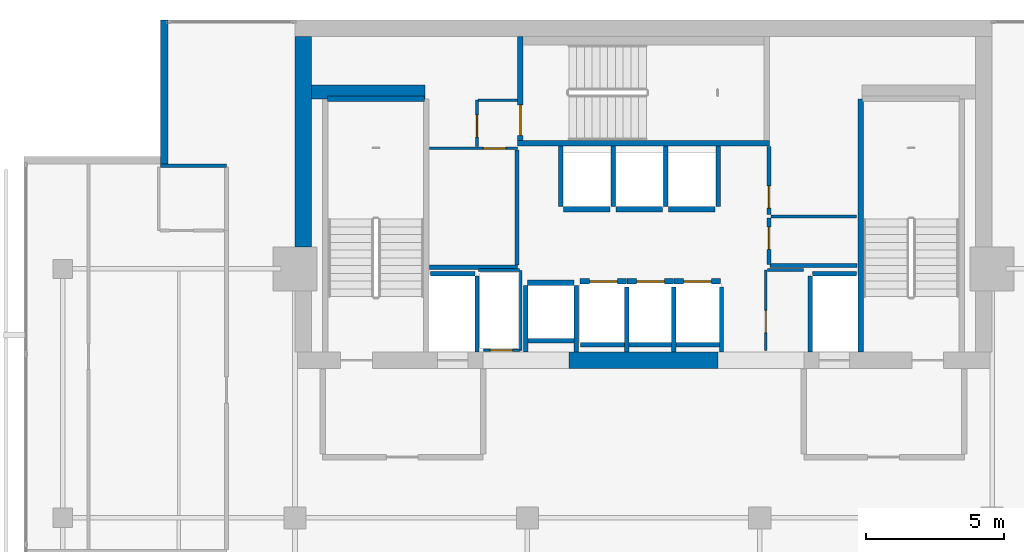
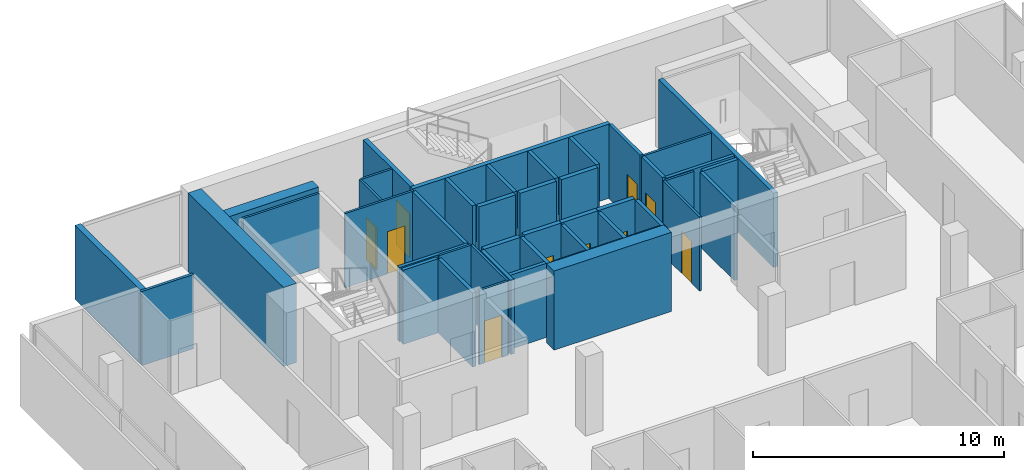
# One storey, part 22 of 25: 45 walls, 10 doors, 10 openings.
"""IFC4 building model written with IfcOpenShell, lengths in metres."""

from ifc_helpers import new_model, si_unit, direction, frame, frame_2d, origin, place, context, subcontext, project, spatial, rectangle, extrude, material, layer, layer_set, type_object, element, fill, save


model = new_model("IFC4")

# Units and contexts
model_context = context("Model", 3, precision=1e-05, world=origin(), true_north=direction((0.0, 1.0)))
body_context = subcontext(model_context, "Body", "Model", "MODEL_VIEW")
ifc_project = project(units=[si_unit("LENGTHUNIT", "METRE"), si_unit("AREAUNIT", "SQUARE_METRE"), si_unit("VOLUMEUNIT", "CUBIC_METRE"), si_unit("PLANEANGLEUNIT", "RADIAN"), si_unit("MASSUNIT", "GRAM", prefix="KILO")], contexts=[model_context])

# Site, building, storey
site_placement = place(None, origin())
site = spatial("IfcSite", under=ifc_project, at=site_placement, CompositionType="ELEMENT")
building_placement = place(site_placement, origin())
building = spatial("IfcBuilding", under=site, at=building_placement, Name="Maruvema Waterfront Hotel and Observation Tower", CompositionType="ELEMENT")
storey_placement = place(building_placement, frame((0.0, 0.0, 308.699951171875)))
storey = spatial("IfcBuildingStorey", under=building, at=storey_placement, Name="L76", CompositionType="ELEMENT", Elevation=308.699951171875)

# Walls
ifc_material_1 = material(Name="Twin-stud acoustic gypsum drywall", Category="gypsum")
ifc_layer_1 = layer(ifc_material_1, 0.14990234375, Name="Acoustic Corridor and Suite Demising Wall 150 mm")
ifc_layer_set_1 = layer_set([ifc_layer_1], Name="Twin-stud acoustic gypsum drywall")
wall_type_1 = type_object("IfcWallType", Name="Acoustic Corridor and Suite Demising Wall 150 mm", PredefinedType="PARTITIONING", material=ifc_layer_set_1)
wall_1_placement = place(storey_placement, frame((30.06005859375, 45.06005859375, 0.0), z_axis=(0.0, 0.0, 1.0), x_axis=(1.0, 0.0, 0.0)))
element("IfcWall", 1, at=wall_1_placement, inside=storey, type_object=wall_type_1, Name="L76 Freed B1 South Wall 012", PredefinedType="PARTITIONING", context=body_context, shape_type="SweptSolid", body=[
    extrude(rectangle(XDim=3.179931640625, YDim=0.14990234375, at=frame_2d((1.58984375, 0.0))), origin(), (0.0, 0.0, 1.0), 3.610107421875),
])
wall_2_placement = place(storey_placement, frame((33.219970703125, 45.139892578125, 0.0), z_axis=(0.0, 0.0, 1.0), x_axis=(0.0, 1.0, 0.0)))
element("IfcWall", 2, at=wall_2_placement, inside=storey, type_object=wall_type_1, Name="L76 Freed B1 East Wall 013", PredefinedType="PARTITIONING", context=body_context, shape_type="SweptSolid", body=[
    extrude(rectangle(XDim=4.16015625, YDim=0.14990234375, at=frame_2d((2.080078125, 0.0))), origin(), (0.0, 0.0, 1.0), 3.610107421875),
])

# Wall, opening, door
wall_3_placement = place(storey_placement, frame((42.340087890625, 45.159912109375, 0.0), z_axis=(0.0, 0.0, 1.0), x_axis=(0.0, 1.0, 0.0)))
wall_3 = element("IfcWall", 3, at=wall_3_placement, inside=storey, type_object=wall_type_1, Name="L76 Freed B2 West S 017", PredefinedType="PARTITIONING", context=body_context, shape_type="SweptSolid", body=[
    extrude(rectangle(XDim=1.68017578125, YDim=0.14990234375, at=frame_2d((0.840087890625, 0.0))), origin(), (0.0, 0.0, 1.0), 3.610107421875),
])
opening_1_placement = place(wall_3_placement, frame((0.550048828125, 0.0, 0.0)))
opening_1 = element("IfcOpeningElement", 4, at=opening_1_placement, cuts=wall_3, Name="Opening DR-080", PredefinedType="OPENING", context=body_context, shape_type="SweptSolid", body=[
    extrude(rectangle(XDim=0.800048828125, YDim=2.050048828125, at=frame_2d((0.39990234375, 1.02490234375))), frame((0.0, 0.0849609375, 0.0), z_axis=(0.0, -1.0, 0.0), x_axis=(1.0, 0.0, 0.0)), (0.0, 0.0, 1.0), 0.169921875),
])
ifc_material_2 = material(Name="Powder-coated steel access leaf", Category="steel")
door_type_1 = type_object("IfcDoorType", Name="Riser and Service Cupboard Door 800x2050 mm", OperationType="NOTDEFINED", PredefinedType="DOOR", material=ifc_material_2)
door_1_placement = place(opening_1_placement, frame((0.800048828125, 0.0, 0.0), z_axis=(0.0, 0.0, 1.0), x_axis=(-1.0, 0.0, 0.0)))
door_1 = element("IfcDoor", 5, at=door_1_placement, inside=storey, type_object=door_type_1, Name="L76 Butler Service Pantry Door", OperationType="SINGLE_SWING_RIGHT", OverallHeight=2.050048828125, OverallWidth=0.800048828125, PredefinedType="DOOR", context=body_context, shape_type="SweptSolid", body=[
    extrude(rectangle(XDim=0.800048828125, YDim=2.050048828125, at=frame_2d((0.39990234375, 1.02490234375))), frame((0.0, 0.02490234375, 0.0), z_axis=(0.0, -1.0, 0.0), x_axis=(1.0, 0.0, 0.0)), (0.0, 0.0, 1.0), 0.050048828125),
])
fill(opening_1, door_1)

wall_4_placement = place(storey_placement, frame((42.340087890625, 46.9599609375, 0.0), z_axis=(0.0, 0.0, 1.0), x_axis=(0.0, 1.0, 0.0)))
wall_4 = element("IfcWall", 6, at=wall_4_placement, inside=storey, type_object=wall_type_1, Name="L76 Freed B2 West N 018", PredefinedType="PARTITIONING", context=body_context, shape_type="SweptSolid", body=[
    extrude(rectangle(XDim=2.4599609375, YDim=0.14990234375, at=frame_2d((1.22998046875, 0.0))), origin(), (0.0, 0.0, 1.0), 3.610107421875),
])
opening_2_placement = place(wall_4_placement, frame((0.239990234375, 0.0, 0.0)))
opening_2 = element("IfcOpeningElement", 7, at=opening_2_placement, cuts=wall_4, Name="Opening DR-080", PredefinedType="OPENING", context=body_context, shape_type="SweptSolid", body=[
    extrude(rectangle(XDim=0.800048828125, YDim=2.050048828125, at=frame_2d((0.39990234375, 1.02490234375))), frame((0.0, 0.0849609375, 0.0), z_axis=(0.0, -1.0, 0.0), x_axis=(1.0, 0.0, 0.0)), (0.0, 0.0, 1.0), 0.169921875),
])
door_2_placement = place(opening_2_placement, frame((0.800048828125, 0.0, 0.0), z_axis=(0.0, 0.0, 1.0), x_axis=(-1.0, 0.0, 0.0)))
door_2 = element("IfcDoor", 8, at=door_2_placement, inside=storey, type_object=door_type_1, Name="L76 Core IT and Linen Store Door", OperationType="SINGLE_SWING_LEFT", OverallHeight=2.050048828125, OverallWidth=0.800048828125, PredefinedType="DOOR", context=body_context, shape_type="SweptSolid", body=[
    extrude(rectangle(XDim=0.800048828125, YDim=2.050048828125, at=frame_2d((0.39990234375, 1.02490234375))), frame((0.0, 0.02490234375, 0.0), z_axis=(0.0, -1.0, 0.0), x_axis=(1.0, 0.0, 0.0)), (0.0, 0.0, 1.0), 0.050048828125),
])
fill(opening_2, door_2)

# Walls
wall_5_placement = place(storey_placement, frame((42.3798828125, 45.1201171875, 0.0), z_axis=(0.0, 0.0, 1.0), x_axis=(1.0, 0.0, 0.0)))
element("IfcWall", 9, at=wall_5_placement, inside=storey, type_object=wall_type_1, Name="L76 Freed B2 South Wall 020", PredefinedType="PARTITIONING", context=body_context, shape_type="SweptSolid", body=[
    extrude(rectangle(XDim=3.14013671875, YDim=0.14990234375, at=frame_2d((1.570068359375, 0.0))), origin(), (0.0, 0.0, 1.0), 3.610107421875),
])
ifc_material_3 = material(Name="Precast concrete C45/55", Category="concrete")
ifc_layer_2 = layer(ifc_material_3, 0.199951171875, Name="Core Shaft and Stairwell Enclosure Wall 200 mm")
ifc_layer_set_2 = layer_set([ifc_layer_2], Name="Precast concrete C45/55")
wall_type_2 = type_object("IfcWallType", Name="Core Shaft and Stairwell Enclosure Wall 200 mm", PredefinedType="SOLIDWALL", material=ifc_layer_set_2)
wall_6_placement = place(storey_placement, frame((26.3798828125, 51.14990234375, 0.0), z_axis=(0.0, 0.0, 1.0), x_axis=(1.0, 0.0, 0.0)))
element("IfcWall", 10, at=wall_6_placement, inside=storey, type_object=wall_type_2, Name="L76 Stairwell ST-01 Shaft Lining Wall", PredefinedType="SOLIDWALL", context=body_context, shape_type="SweptSolid", body=[
    extrude(rectangle(XDim=3.5, YDim=0.199951171875, at=frame_2d((1.75, 0.0))), origin(), (0.0, 0.0, 1.0), 3.610107421875),
])
wall_7_placement = place(storey_placement, frame((33.25, 49.550048828125, 0.0), z_axis=(0.0, 0.0, 1.0), x_axis=(1.0, 0.0, 0.0)))
element("IfcWall", 11, at=wall_7_placement, inside=storey, type_object=wall_type_2, Name="L76 Stairwell ST-02 Shaft Wall", PredefinedType="SOLIDWALL", context=body_context, shape_type="SweptSolid", body=[
    extrude(rectangle(XDim=9.10009765625, YDim=0.199951171875, at=frame_2d((4.550048828125, 0.0))), origin(), (0.0, 0.0, 1.0), 3.610107421875),
])

# Wall, opening, door
wall_8_placement = place(storey_placement, frame((33.35009765625, 49.64990234375, 0.0), z_axis=(0.0, 0.0, 1.0), x_axis=(0.0, 1.0, 0.0)))
wall_8 = element("IfcWall", 12, at=wall_8_placement, inside=storey, type_object=wall_type_2, Name="L76 Stairwell ST-02 Shaft Wall", PredefinedType="SOLIDWALL", context=body_context, shape_type="SweptSolid", body=[
    extrude(rectangle(XDim=3.75, YDim=0.199951171875, at=frame_2d((1.875, 0.0))), origin(), (0.0, 0.0, 1.0), 3.610107421875),
])
opening_3_placement = place(wall_8_placement, frame((0.179931640625, 0.0, 0.0)))
opening_3 = element("IfcOpeningElement", 13, at=opening_3_placement, cuts=wall_8, Name="Opening SD-02", PredefinedType="OPENING", context=body_context, shape_type="SweptSolid", body=[
    extrude(rectangle(XDim=1.10009765625, YDim=2.14990234375, at=frame_2d((0.550048828125, 1.074951171875))), frame((0.0, 0.10986328125, 0.0), z_axis=(0.0, -1.0, 0.0), x_axis=(1.0, 0.0, 0.0)), (0.0, 0.0, 1.0), 0.219970703125),
])
ifc_material_4 = material(Name="Fire-rated galvanised steel leaf", Category="steel")
door_type_2 = type_object("IfcDoorType", Name="Central Exit Stair Fire Door 1100x2150 mm", OperationType="NOTDEFINED", PredefinedType="DOOR", material=ifc_material_4)
door_3_placement = place(opening_3_placement, frame((1.10009765625, 0.0, 0.0), z_axis=(0.0, 0.0, 1.0), x_axis=(-1.0, 0.0, 0.0)))
door_3 = element("IfcDoor", 14, at=door_3_placement, inside=storey, type_object=door_type_2, Name="L76 Exit Stair ST-02 Fire Door", OperationType="SINGLE_SWING_LEFT", OverallHeight=2.14990234375, OverallWidth=1.10009765625, PredefinedType="DOOR", context=body_context, shape_type="SweptSolid", body=[
    extrude(rectangle(XDim=1.10009765625, YDim=2.14990234375, at=frame_2d((0.550048828125, 1.074951171875))), frame((0.0, 0.02490234375, 0.0), z_axis=(0.0, -1.0, 0.0), x_axis=(1.0, 0.0, 0.0)), (0.0, 0.0, 1.0), 0.050048828125),
])
fill(opening_3, door_3)

# Wall
wall_9_placement = place(storey_placement, frame((45.64990234375, 42.0, 0.0), z_axis=(0.0, 0.0, 1.0), x_axis=(0.0, 1.0, 0.0)))
element("IfcWall", 15, at=wall_9_placement, inside=storey, type_object=wall_type_2, Name="L76 Stairwell ST-03 West Shaft Wall", PredefinedType="SOLIDWALL", context=body_context, shape_type="SweptSolid", body=[
    extrude(rectangle(XDim=9.14990234375, YDim=0.199951171875, at=frame_2d((4.574951171875, 0.0))), origin(), (0.0, 0.0, 1.0), 3.610107421875),
])

# Wall, opening, door
wall_10_placement = place(storey_placement, frame((35.510009765625, 44.550048828125, 0.0), z_axis=(0.0, 0.0, 1.0), x_axis=(1.0, 0.0, 0.0)))
wall_10 = element("IfcWall", 16, at=wall_10_placement, inside=storey, type_object=wall_type_2, Name="L76 Lift LF-09 Hoistway Front Wall", PredefinedType="SOLIDWALL", context=body_context, shape_type="SweptSolid", body=[
    extrude(rectangle(XDim=1.679931640625, YDim=0.199951171875, at=frame_2d((0.83984375, 0.0))), origin(), (0.0, 0.0, 1.0), 3.610107421875),
])
opening_4_placement = place(wall_10_placement, frame((0.340087890625, 0.0, 0.0)))
opening_4 = element("IfcOpeningElement", 17, at=opening_4_placement, cuts=wall_10, Name="Opening LD-01", PredefinedType="OPENING", context=body_context, shape_type="SweptSolid", body=[
    extrude(rectangle(XDim=1.0, YDim=2.14990234375, at=frame_2d((0.5, 1.074951171875))), frame((0.0, 0.10986328125, 0.0), z_axis=(0.0, -1.0, 0.0), x_axis=(1.0, 0.0, 0.0)), (0.0, 0.0, 1.0), 0.219970703125),
])
ifc_material_5 = material(Name="Brushed stainless steel Grade 316", Category="steel")
door_type_3 = type_object("IfcDoorType", Name="Passenger Lift Sliding Landing Door 1000x2150 mm", OperationType="SLIDING_TO_LEFT", PredefinedType="DOOR", material=ifc_material_5)
door_4_placement = place(opening_4_placement, origin())
door_4 = element("IfcDoor", 18, at=door_4_placement, inside=storey, type_object=door_type_3, Name="L76 Lift LF-09 Sliding Landing Door", OperationType="SLIDING_TO_LEFT", OverallHeight=2.14990234375, OverallWidth=1.0, PredefinedType="DOOR", context=body_context, shape_type="SweptSolid", body=[
    extrude(rectangle(XDim=1.0, YDim=2.14990234375, at=frame_2d((0.5, 1.074951171875))), frame((0.0, 0.02490234375, 0.0), z_axis=(0.0, -1.0, 0.0), x_axis=(1.0, 0.0, 0.0)), (0.0, 0.0, 1.0), 0.050048828125),
])
fill(opening_4, door_4)

wall_11_placement = place(storey_placement, frame((37.2099609375, 44.550048828125, 0.0), z_axis=(0.0, 0.0, 1.0), x_axis=(1.0, 0.0, 0.0)))
wall_11 = element("IfcWall", 19, at=wall_11_placement, inside=storey, type_object=wall_type_2, Name="L76 Lift LF-10 Hoistway Front Wall", PredefinedType="SOLIDWALL", context=body_context, shape_type="SweptSolid", body=[
    extrude(rectangle(XDim=1.679931640625, YDim=0.199951171875, at=frame_2d((0.83984375, 0.0))), origin(), (0.0, 0.0, 1.0), 3.610107421875),
])
opening_5_placement = place(wall_11_placement, frame((0.340087890625, 0.0, 0.0)))
opening_5 = element("IfcOpeningElement", 20, at=opening_5_placement, cuts=wall_11, Name="Opening LD-01", PredefinedType="OPENING", context=body_context, shape_type="SweptSolid", body=[
    extrude(rectangle(XDim=1.0, YDim=2.14990234375, at=frame_2d((0.5, 1.074951171875))), frame((0.0, 0.10986328125, 0.0), z_axis=(0.0, -1.0, 0.0), x_axis=(1.0, 0.0, 0.0)), (0.0, 0.0, 1.0), 0.219970703125),
])
door_5_placement = place(opening_5_placement, origin())
door_5 = element("IfcDoor", 21, at=door_5_placement, inside=storey, type_object=door_type_3, Name="L76 Lift LF-10 Sliding Landing Door", OperationType="SLIDING_TO_LEFT", OverallHeight=2.14990234375, OverallWidth=1.0, PredefinedType="DOOR", context=body_context, shape_type="SweptSolid", body=[
    extrude(rectangle(XDim=1.0, YDim=2.14990234375, at=frame_2d((0.5, 1.074951171875))), frame((0.0, 0.02490234375, 0.0), z_axis=(0.0, -1.0, 0.0), x_axis=(1.0, 0.0, 0.0)), (0.0, 0.0, 1.0), 0.050048828125),
])
fill(opening_5, door_5)

wall_12_placement = place(storey_placement, frame((38.909912109375, 44.550048828125, 0.0), z_axis=(0.0, 0.0, 1.0), x_axis=(1.0, 0.0, 0.0)))
wall_12 = element("IfcWall", 22, at=wall_12_placement, inside=storey, type_object=wall_type_2, Name="L76 Lift LF-11 Hoistway Front Wall", PredefinedType="SOLIDWALL", context=body_context, shape_type="SweptSolid", body=[
    extrude(rectangle(XDim=1.68017578125, YDim=0.199951171875, at=frame_2d((0.840087890625, 0.0))), origin(), (0.0, 0.0, 1.0), 3.610107421875),
])
opening_6_placement = place(wall_12_placement, frame((0.340087890625, 0.0, 0.0)))
opening_6 = element("IfcOpeningElement", 23, at=opening_6_placement, cuts=wall_12, Name="Opening LD-01", PredefinedType="OPENING", context=body_context, shape_type="SweptSolid", body=[
    extrude(rectangle(XDim=1.0, YDim=2.14990234375, at=frame_2d((0.5, 1.074951171875))), frame((0.0, 0.10986328125, 0.0), z_axis=(0.0, -1.0, 0.0), x_axis=(1.0, 0.0, 0.0)), (0.0, 0.0, 1.0), 0.219970703125),
])
door_6_placement = place(opening_6_placement, origin())
door_6 = element("IfcDoor", 24, at=door_6_placement, inside=storey, type_object=door_type_3, Name="L76 Lift LF-11 Sliding Landing Door", OperationType="SLIDING_TO_LEFT", OverallHeight=2.14990234375, OverallWidth=1.0, PredefinedType="DOOR", context=body_context, shape_type="SweptSolid", body=[
    extrude(rectangle(XDim=1.0, YDim=2.14990234375, at=frame_2d((0.5, 1.074951171875))), frame((0.0, 0.02490234375, 0.0), z_axis=(0.0, -1.0, 0.0), x_axis=(1.0, 0.0, 0.0)), (0.0, 0.0, 1.0), 0.050048828125),
])
fill(opening_6, door_6)

# Walls
wall_13_placement = place(storey_placement, frame((34.909912109375, 47.14990234375, 0.0), z_axis=(0.0, 0.0, 1.0), x_axis=(1.0, 0.0, 0.0)))
element("IfcWall", 25, at=wall_13_placement, inside=storey, type_object=wall_type_2, Name="L76 Lift LF-12 Hoistway Front Wall", PredefinedType="SOLIDWALL", context=body_context, shape_type="SweptSolid", body=[
    extrude(rectangle(XDim=1.68017578125, YDim=0.199951171875, at=frame_2d((0.840087890625, 0.0))), origin(), (0.0, 0.0, 1.0), 3.610107421875),
])
for number, where, z_axis, x_axis, name in (
    (26, (36.81005859375, 47.14990234375, 0.0), (0.0, 0.0, 1.0), (1.0, 0.0, 0.0), "L76 Lift LF-13 Hoistway Front Wall"),
    (27, (38.7099609375, 47.14990234375, 0.0), (0.0, 0.0, 1.0), (1.0, 0.0, 0.0), "L76 Lift LF-14 Hoistway Front Wall"),
    (28, (33.610107421875, 44.5, 0.0), (0.0, 0.0, 1.0), (1.0, 0.0, 0.0), "L76 Lift LF-15 Hoistway Front Wall"),
):
    element("IfcWall", number, at=place(storey_placement, frame(where, z_axis=z_axis, x_axis=x_axis)), inside=storey, type_object=wall_type_2, Name=name, PredefinedType="SOLIDWALL", context=body_context, shape_type="SweptSolid", body=[
        extrude(rectangle(XDim=1.679931640625, YDim=0.199951171875, at=frame_2d((0.83984375, 0.0))), origin(), (0.0, 0.0, 1.0), 3.610107421875),
    ])
ifc_material_6 = material(Name="Concrete C70/85", Category="concrete")
ifc_layer_3 = layer(ifc_material_6, 0.5, Name="Core Shear Wall 500 mm")
ifc_layer_set_3 = layer_set([ifc_layer_3], Name="Concrete C70/85")
wall_type_3 = type_object("IfcWallType", Name="Core Shear Wall 500 mm", PredefinedType="SHEAR", material=ifc_layer_set_3)
wall_14_placement = place(storey_placement, frame((25.800048828125, 51.39990234375, 0.0), z_axis=(0.0, 0.0, 1.0), x_axis=(1.0, 0.0, 0.0)))
element("IfcWall", 29, at=wall_14_placement, inside=storey, type_object=wall_type_3, Name="L76 Internal Core Shear Wall NW 500 mm", PredefinedType="SHEAR", context=body_context, shape_type="SweptSolid", body=[
    extrude(rectangle(XDim=4.099853515625, YDim=0.5, at=frame_2d((2.0498046875, 0.0))), origin(), (0.0, 0.0, 1.0), 3.85009765625),
])
ifc_material_7 = material(Name="Concrete C60/75", Category="concrete")
ifc_layer_4 = layer(ifc_material_7, 0.60009765625, Name="Core Shear Wall 600 mm")
ifc_layer_set_4 = layer_set([ifc_layer_4], Name="Concrete C60/75")
wall_type_4 = type_object("IfcWallType", Name="Core Shear Wall 600 mm", PredefinedType="SHEAR", material=ifc_layer_set_4)
wall_15_placement = place(storey_placement, frame((35.10009765625, 41.699951171875, 0.0), z_axis=(0.0, 0.0, 1.0), x_axis=(1.0, 0.0, 0.0)))
element("IfcWall", 30, at=wall_15_placement, inside=storey, type_object=wall_type_4, Name="L76 South-Central Core Shear Wall", PredefinedType="SHEAR", context=body_context, shape_type="SweptSolid", body=[
    extrude(rectangle(XDim=5.39990234375, YDim=0.60009765625, at=frame_2d((2.699951171875, 0.0))), origin(), (0.0, 0.0, 1.0), 3.85009765625),
])
wall_16_placement = place(storey_placement, frame((25.5, 45.800048828125, 0.0), z_axis=(0.0, 0.0, 1.0), x_axis=(0.0, 1.0, 0.0)))
element("IfcWall", 31, at=wall_16_placement, inside=storey, type_object=wall_type_4, Name="L76 West-North Core Shear Wall", PredefinedType="SHEAR", context=body_context, shape_type="SweptSolid", body=[
    extrude(rectangle(XDim=7.599853515625, YDim=0.60009765625, at=frame_2d((3.7998046875, 0.0))), origin(), (0.0, 0.0, 1.0), 3.85009765625),
])

# Wall, opening, door
ifc_material_8 = material(Name="Moisture-resistant cement-board drywall", Category="gypsum")
ifc_layer_5 = layer(ifc_material_8, 0.10009765625, Name="En-Suite Moisture-Resistant Partition 100 mm")
ifc_layer_set_5 = layer_set([ifc_layer_5], Name="Moisture-resistant cement-board drywall")
wall_type_5 = type_object("IfcWallType", Name="En-Suite Moisture-Resistant Partition 100 mm", PredefinedType="PARTITIONING", material=ifc_layer_set_5)
wall_17_placement = place(storey_placement, frame((32.02001953125, 42.06005859375, 0.0), z_axis=(0.0, 0.0, 1.0), x_axis=(1.0, 0.0, 0.0)))
wall_17 = element("IfcWall", 32, at=wall_17_placement, inside=storey, type_object=wall_type_5, Name="L76 Telecom Riser South Wall 007", PredefinedType="PARTITIONING", context=body_context, shape_type="SweptSolid", body=[
    extrude(rectangle(XDim=1.320068359375, YDim=0.10009765625, at=frame_2d((0.66015625, 0.0))), origin(), (0.0, 0.0, 1.0), 3.610107421875),
])
opening_7_placement = place(wall_17_placement, frame((0.239990234375, 0.0, 0.0)))
opening_7 = element("IfcOpeningElement", 33, at=opening_7_placement, cuts=wall_17, Name="Opening DR-080", PredefinedType="OPENING", context=body_context, shape_type="SweptSolid", body=[
    extrude(rectangle(XDim=0.800048828125, YDim=2.050048828125, at=frame_2d((0.39990234375, 1.02490234375))), frame((0.0, 0.06005859375, 0.0), z_axis=(0.0, -1.0, 0.0), x_axis=(1.0, 0.0, 0.0)), (0.0, 0.0, 1.0), 0.1201171875),
])
door_7_placement = place(opening_7_placement, frame((0.800048828125, 0.0, 0.0), z_axis=(0.0, 0.0, 1.0), x_axis=(-1.0, 0.0, 0.0)))
door_7 = element("IfcDoor", 34, at=door_7_placement, inside=storey, type_object=door_type_1, Name="L76 Telecom Riser Door", OperationType="SINGLE_SWING_RIGHT", OverallHeight=2.050048828125, OverallWidth=0.800048828125, PredefinedType="DOOR", context=body_context, shape_type="SweptSolid", body=[
    extrude(rectangle(XDim=0.800048828125, YDim=2.050048828125, at=frame_2d((0.39990234375, 1.02490234375))), frame((0.0, 0.02490234375, 0.0), z_axis=(0.0, -1.0, 0.0), x_axis=(1.0, 0.0, 0.0)), (0.0, 0.0, 1.0), 0.050048828125),
])
fill(opening_7, door_7)

# Walls
wall_18_placement = place(storey_placement, frame((31.840087890625, 44.9599609375, 0.0), z_axis=(0.0, 0.0, 1.0), x_axis=(1.0, 0.0, 0.0)))
element("IfcWall", 35, at=wall_18_placement, inside=storey, type_object=wall_type_5, Name="L76 Telecom Riser North Wall 008", PredefinedType="PARTITIONING", context=body_context, shape_type="SweptSolid", body=[
    extrude(rectangle(XDim=1.47998046875, YDim=0.10009765625, at=frame_2d((0.739990234375, 0.0))), origin(), (0.0, 0.0, 1.0), 3.610107421875),
])
wall_19_placement = place(storey_placement, frame((33.360107421875, 42.06005859375, 0.0), z_axis=(0.0, 0.0, 1.0), x_axis=(0.0, 1.0, 0.0)))
element("IfcWall", 36, at=wall_19_placement, inside=storey, type_object=wall_type_5, Name="L76 Telecom Riser East Wall 009", PredefinedType="PARTITIONING", context=body_context, shape_type="SweptSolid", body=[
    extrude(rectangle(XDim=2.8798828125, YDim=0.10009765625, at=frame_2d((1.43994140625, 0.0))), origin(), (0.0, 0.0, 1.0), 3.610107421875),
])

# Wall, opening, door
wall_20_placement = place(storey_placement, frame((42.219970703125, 42.050048828125, 0.0), z_axis=(0.0, 0.0, 1.0), x_axis=(0.0, 1.0, 0.0)))
wall_20 = element("IfcWall", 37, at=wall_20_placement, inside=storey, type_object=wall_type_5, Name="L76 Core Closet K1 West 010", PredefinedType="PARTITIONING", context=body_context, shape_type="SweptSolid", body=[
    extrude(rectangle(XDim=2.909912109375, YDim=0.10009765625, at=frame_2d((1.455078125, 0.0))), origin(), (0.0, 0.0, 1.0), 3.610107421875),
])
opening_8_placement = place(wall_20_placement, frame((0.64990234375, 0.0, 0.0)))
opening_8 = element("IfcOpeningElement", 38, at=opening_8_placement, cuts=wall_20, Name="Opening DR-080", PredefinedType="OPENING", context=body_context, shape_type="SweptSolid", body=[
    extrude(rectangle(XDim=0.800048828125, YDim=2.050048828125, at=frame_2d((0.39990234375, 1.02490234375))), frame((0.0, 0.06005859375, 0.0), z_axis=(0.0, -1.0, 0.0), x_axis=(1.0, 0.0, 0.0)), (0.0, 0.0, 1.0), 0.1201171875),
])
door_8_placement = place(opening_8_placement, frame((0.800048828125, 0.0, 0.0), z_axis=(0.0, 0.0, 1.0), x_axis=(-1.0, 0.0, 0.0)))
door_8 = element("IfcDoor", 39, at=door_8_placement, inside=storey, type_object=door_type_1, Name="L76 Core Cleaning Store Door", OperationType="SINGLE_SWING_LEFT", OverallHeight=2.050048828125, OverallWidth=0.800048828125, PredefinedType="DOOR", context=body_context, shape_type="SweptSolid", body=[
    extrude(rectangle(XDim=0.800048828125, YDim=2.050048828125, at=frame_2d((0.39990234375, 1.02490234375))), frame((0.0, 0.02490234375, 0.0), z_axis=(0.0, -1.0, 0.0), x_axis=(1.0, 0.0, 0.0)), (0.0, 0.0, 1.0), 0.050048828125),
])
fill(opening_8, door_8)

# Wall
wall_21_placement = place(storey_placement, frame((42.280029296875, 44.9599609375, 0.0), z_axis=(0.0, 0.0, 1.0), x_axis=(1.0, 0.0, 0.0)))
element("IfcWall", 40, at=wall_21_placement, inside=storey, type_object=wall_type_5, Name="L76 Core Closet K1 North 011", PredefinedType="PARTITIONING", context=body_context, shape_type="SweptSolid", body=[
    extrude(rectangle(XDim=1.300048828125, YDim=0.10009765625, at=frame_2d((0.64990234375, 0.0))), origin(), (0.0, 0.0, 1.0), 3.610107421875),
])

# Wall, opening, door
wall_22_placement = place(storey_placement, frame((30.06005859375, 49.360107421875, 0.0), z_axis=(0.0, 0.0, 1.0), x_axis=(1.0, 0.0, 0.0)))
wall_22 = element("IfcWall", 41, at=wall_22_placement, inside=storey, type_object=wall_type_5, Name="L76 Freed B1 Mid Wall 014", PredefinedType="PARTITIONING", context=body_context, shape_type="SweptSolid", body=[
    extrude(rectangle(XDim=3.179931640625, YDim=0.10009765625, at=frame_2d((1.58984375, 0.0))), origin(), (0.0, 0.0, 1.0), 3.610107421875),
])
opening_9_placement = place(wall_22_placement, frame((1.949951171875, 0.0, 0.0)))
opening_9 = element("IfcOpeningElement", 42, at=opening_9_placement, cuts=wall_22, Name="Opening DR-080", PredefinedType="OPENING", context=body_context, shape_type="SweptSolid", body=[
    extrude(rectangle(XDim=0.800048828125, YDim=2.050048828125, at=frame_2d((0.39990234375, 1.02490234375))), frame((0.0, 0.06005859375, 0.0), z_axis=(0.0, -1.0, 0.0), x_axis=(1.0, 0.0, 0.0)), (0.0, 0.0, 1.0), 0.1201171875),
])
door_9_placement = place(opening_9_placement, origin())
door_9 = element("IfcDoor", 43, at=door_9_placement, inside=storey, type_object=door_type_1, Name="L76 Housekeeping and Linen Room Door", OperationType="SINGLE_SWING_RIGHT", OverallHeight=2.050048828125, OverallWidth=0.800048828125, PredefinedType="DOOR", context=body_context, shape_type="SweptSolid", body=[
    extrude(rectangle(XDim=0.800048828125, YDim=2.050048828125, at=frame_2d((0.39990234375, 1.02490234375))), frame((0.0, 0.02490234375, 0.0), z_axis=(0.0, -1.0, 0.0), x_axis=(1.0, 0.0, 0.0)), (0.0, 0.0, 1.0), 0.050048828125),
])
fill(opening_9, door_9)

wall_23_placement = place(storey_placement, frame((31.780029296875, 49.419921875, 0.0), z_axis=(0.0, 0.0, 1.0), x_axis=(0.0, 1.0, 0.0)))
wall_23 = element("IfcWall", 44, at=wall_23_placement, inside=storey, type_object=wall_type_5, Name="L76 Freed B1 NW East Wall 015", PredefinedType="PARTITIONING", context=body_context, shape_type="SweptSolid", body=[
    extrude(rectangle(XDim=1.68017578125, YDim=0.10009765625, at=frame_2d((0.840087890625, 0.0))), origin(), (0.0, 0.0, 1.0), 3.610107421875),
])
opening_10_placement = place(wall_23_placement, frame((0.35009765625, 0.0, 0.0)))
opening_10 = element("IfcOpeningElement", 45, at=opening_10_placement, cuts=wall_23, Name="Opening DR-080", PredefinedType="OPENING", context=body_context, shape_type="SweptSolid", body=[
    extrude(rectangle(XDim=0.800048828125, YDim=2.050048828125, at=frame_2d((0.39990234375, 1.02490234375))), frame((0.0, 0.06005859375, 0.0), z_axis=(0.0, -1.0, 0.0), x_axis=(1.0, 0.0, 0.0)), (0.0, 0.0, 1.0), 0.1201171875),
])
door_10_placement = place(opening_10_placement, origin())
door_10 = element("IfcDoor", 46, at=door_10_placement, inside=storey, type_object=door_type_1, Name="L76 Guest Floor Pantry Door", OperationType="SINGLE_SWING_LEFT", OverallHeight=2.050048828125, OverallWidth=0.800048828125, PredefinedType="DOOR", context=body_context, shape_type="SweptSolid", body=[
    extrude(rectangle(XDim=0.800048828125, YDim=2.050048828125, at=frame_2d((0.39990234375, 1.02490234375))), frame((0.0, 0.02490234375, 0.0), z_axis=(0.0, -1.0, 0.0), x_axis=(1.0, 0.0, 0.0)), (0.0, 0.0, 1.0), 0.050048828125),
])
fill(opening_10, door_10)

# Walls
wall_24_placement = place(storey_placement, frame((31.820068359375, 51.10009765625, 0.0), z_axis=(0.0, 0.0, 1.0), x_axis=(1.0, 0.0, 0.0)))
element("IfcWall", 47, at=wall_24_placement, inside=storey, type_object=wall_type_5, Name="L76 Freed B1 Vestibule North Wall 016", PredefinedType="PARTITIONING", context=body_context, shape_type="SweptSolid", body=[
    extrude(rectangle(XDim=1.419921875, YDim=0.10009765625, at=frame_2d((0.7099609375, 0.0))), origin(), (0.0, 0.0, 1.0), 3.610107421875),
])
wall_25_placement = place(storey_placement, frame((42.39990234375, 46.89990234375, 0.0), z_axis=(0.0, 0.0, 1.0), x_axis=(1.0, 0.0, 0.0)))
element("IfcWall", 48, at=wall_25_placement, inside=storey, type_object=wall_type_5, Name="L76 Freed B2 Split 019", PredefinedType="PARTITIONING", context=body_context, shape_type="SweptSolid", body=[
    extrude(rectangle(XDim=3.10009765625, YDim=0.10009765625, at=frame_2d((1.550048828125, 0.0))), origin(), (0.0, 0.0, 1.0), 3.610107421875),
])
ifc_material_9 = material(Name="Precast concrete C45/55 with honed Pernambuco granite facing", Category="masonry")
ifc_layer_6 = layer(ifc_material_9, 0.260009765625, Name="Exterior Granite Clad Spandrel and Pier Wall 260 mm")
ifc_layer_set_6 = layer_set([ifc_layer_6], Name="Precast concrete C45/55 with honed Pernambuco granite facing")
wall_type_6 = type_object("IfcWallType", Name="Exterior Granite Clad Spandrel and Pier Wall 260 mm", PredefinedType="SOLIDWALL", material=ifc_layer_set_6)
wall_26_placement = place(storey_placement, frame((20.469970703125, 48.800048828125, 0.0), z_axis=(0.0, 0.0, 1.0), x_axis=(0.0, 1.0, 0.0)))
element("IfcWall", 49, at=wall_26_placement, inside=storey, type_object=wall_type_6, Name="L76 Corner Notch Granite Pier Wall NW1", PredefinedType="SOLIDWALL", context=body_context, shape_type="SweptSolid", body=[
    extrude(rectangle(XDim=5.199951171875, YDim=0.260009765625, at=frame_2d((2.60009765625, 0.0))), origin(), (0.0, 0.0, 1.0), 3.610107421875),
])
ifc_material_10 = material(Name="Acoustic gypsum plasterboard drywall", Category="gypsum")
ifc_layer_7 = layer(ifc_material_10, 0.125, Name="Guestroom Acoustic Demising Wall 125 mm")
ifc_layer_set_7 = layer_set([ifc_layer_7], Name="Acoustic gypsum plasterboard drywall")
wall_type_7 = type_object("IfcWallType", Name="Guestroom Acoustic Demising Wall 125 mm", PredefinedType="PARTITIONING", material=ifc_layer_set_7)
wall_27_placement = place(storey_placement, frame((20.340087890625, 48.737548828125, 0.0), z_axis=(0.0, 0.0, 1.0), x_axis=(1.0, 0.0, 0.0)))
element("IfcWall", 50, at=wall_27_placement, inside=storey, type_object=wall_type_7, Name="L76 Z3 NW Top End 084", PredefinedType="PARTITIONING", context=body_context, shape_type="SweptSolid", body=[
    extrude(rectangle(XDim=2.3798828125, YDim=0.125, at=frame_2d((1.18994140625, 0.0))), origin(), (0.0, 0.0, 1.0), 3.610107421875),
])
ifc_material_11 = material(Name="Precast concrete C45/55", Category="concrete")
ifc_layer_8 = layer(ifc_material_11, 0.159912109375, Name="Lift Hoistway Divider Wall 160 mm")
ifc_layer_set_8 = layer_set([ifc_layer_8], Name="Precast concrete C45/55")
wall_type_8 = type_object("IfcWallType", Name="Lift Hoistway Divider Wall 160 mm", PredefinedType="SOLIDWALL", material=ifc_layer_set_8)
wall_28_placement = place(storey_placement, frame((30.10009765625, 44.830078125, 0.0), z_axis=(0.0, 0.0, 1.0), x_axis=(1.0, 0.0, 0.0)))
element("IfcWall", 51, at=wall_28_placement, inside=storey, type_object=wall_type_8, Name="L76 Lift FL-01 Rear Hoistway Wall", PredefinedType="SOLIDWALL", context=body_context, shape_type="SweptSolid", body=[
    extrude(rectangle(XDim=1.599853515625, YDim=0.159912109375, at=frame_2d((0.7998046875, 0.0))), origin(), (0.0, 0.0, 1.0), 3.610107421875),
])
wall_29_placement = place(storey_placement, frame((31.780029296875, 42.0, 0.0), z_axis=(0.0, 0.0, 1.0), x_axis=(0.0, 1.0, 0.0)))
element("IfcWall", 52, at=wall_29_placement, inside=storey, type_object=wall_type_8, Name="L76 Lift FL-01 Inner Hoistway Wall", PredefinedType="SOLIDWALL", context=body_context, shape_type="SweptSolid", body=[
    extrude(rectangle(XDim=2.739990234375, YDim=0.159912109375, at=frame_2d((1.3701171875, 0.0))), origin(), (0.0, 0.0, 1.0), 3.610107421875),
])
wall_30_placement = place(storey_placement, frame((43.89990234375, 44.830078125, 0.0), z_axis=(0.0, 0.0, 1.0), x_axis=(1.0, 0.0, 0.0)))
element("IfcWall", 53, at=wall_30_placement, inside=storey, type_object=wall_type_8, Name="L76 Lift FL-02 Rear Hoistway Wall", PredefinedType="SOLIDWALL", context=body_context, shape_type="SweptSolid", body=[
    extrude(rectangle(XDim=1.60009765625, YDim=0.159912109375, at=frame_2d((0.800048828125, 0.0))), origin(), (0.0, 0.0, 1.0), 3.610107421875),
])
wall_31_placement = place(storey_placement, frame((43.820068359375, 42.0, 0.0), z_axis=(0.0, 0.0, 1.0), x_axis=(0.0, 1.0, 0.0)))
element("IfcWall", 54, at=wall_31_placement, inside=storey, type_object=wall_type_8, Name="L76 Lift FL-02 Inner Hoistway Wall", PredefinedType="SOLIDWALL", context=body_context, shape_type="SweptSolid", body=[
    extrude(rectangle(XDim=2.739990234375, YDim=0.159912109375, at=frame_2d((1.3701171875, 0.0))), origin(), (0.0, 0.0, 1.0), 3.610107421875),
])
for number, where, z_axis, x_axis, name in (
    (55, (37.199951171875, 42.0, 0.0), (0.0, 0.0, 1.0), (0.0, 1.0, 0.0), "L76 Hoistway Divider Wall"),
    (56, (38.89990234375, 42.0, 0.0), (0.0, 0.0, 1.0), (0.0, 1.0, 0.0), "L76 Hoistway Divider Wall"),
    (57, (40.6201171875, 42.0, 0.0), (0.0, 0.0, 1.0), (0.0, 1.0, 0.0), "L76 Hoistway Divider Wall"),
):
    element("IfcWall", number, at=place(storey_placement, frame(where, z_axis=z_axis, x_axis=x_axis)), inside=storey, type_object=wall_type_8, Name=name, PredefinedType="SOLIDWALL", context=body_context, shape_type="SweptSolid", body=[
        extrude(rectangle(XDim=2.35009765625, YDim=0.159912109375, at=frame_2d((1.175048828125, 0.0))), origin(), (0.0, 0.0, 1.0), 3.610107421875),
    ])
wall_32_placement = place(storey_placement, frame((35.52001953125, 42.260009765625, 0.0), z_axis=(0.0, 0.0, 1.0), x_axis=(1.0, 0.0, 0.0)))
element("IfcWall", 58, at=wall_32_placement, inside=storey, type_object=wall_type_8, Name="L76 Hoistway Divider Wall", PredefinedType="SOLIDWALL", context=body_context, shape_type="SweptSolid", body=[
    extrude(rectangle(XDim=5.02001953125, YDim=0.159912109375, at=frame_2d((2.510009765625, 0.0))), origin(), (0.0, 0.0, 1.0), 3.610107421875),
])
for number, where, z_axis, x_axis, name in (
    (59, (34.800048828125, 47.25, 0.0), (0.0, 0.0, 1.0), (0.0, 1.0, 0.0), "L76 Hoistway Divider Wall"),
    (60, (36.699951171875, 47.25, 0.0), (0.0, 0.0, 1.0), (0.0, 1.0, 0.0), "L76 Hoistway Divider Wall"),
    (61, (38.60009765625, 47.25, 0.0), (0.0, 0.0, 1.0), (0.0, 1.0, 0.0), "L76 Hoistway Divider Wall"),
    (62, (40.5, 47.25, 0.0), (0.0, 0.0, 1.0), (0.0, 1.0, 0.0), "L76 Hoistway Divider Wall"),
):
    element("IfcWall", number, at=place(storey_placement, frame(where, z_axis=z_axis, x_axis=x_axis)), inside=storey, type_object=wall_type_8, Name=name, PredefinedType="SOLIDWALL", context=body_context, shape_type="SweptSolid", body=[
        extrude(rectangle(XDim=2.18994140625, YDim=0.159912109375, at=frame_2d((1.094970703125, 0.0))), origin(), (0.0, 0.0, 1.0), 3.610107421875),
    ])
for number, where, z_axis, x_axis, name in (
    (63, (33.5400390625, 42.0, 0.0), (0.0, 0.0, 1.0), (0.0, 1.0, 0.0), "L76 Hoistway Divider Wall"),
    (64, (35.360107421875, 42.0, 0.0), (0.0, 0.0, 1.0), (0.0, 1.0, 0.0), "L76 Hoistway Divider Wall"),
):
    element("IfcWall", number, at=place(storey_placement, frame(where, z_axis=z_axis, x_axis=x_axis)), inside=storey, type_object=wall_type_8, Name=name, PredefinedType="SOLIDWALL", context=body_context, shape_type="SweptSolid", body=[
        extrude(rectangle(XDim=2.39990234375, YDim=0.159912109375, at=frame_2d((1.199951171875, 0.0))), origin(), (0.0, 0.0, 1.0), 3.610107421875),
    ])
wall_33_placement = place(storey_placement, frame((33.6201171875, 42.39990234375, 0.0), z_axis=(0.0, 0.0, 1.0), x_axis=(1.0, 0.0, 0.0)))
element("IfcWall", 65, at=wall_33_placement, inside=storey, type_object=wall_type_8, Name="L76 Hoistway Divider Wall", PredefinedType="SOLIDWALL", context=body_context, shape_type="SweptSolid", body=[
    extrude(rectangle(XDim=1.659912109375, YDim=0.159912109375, at=frame_2d((0.830078125, 0.0))), origin(), (0.0, 0.0, 1.0), 3.610107421875),
])

save(model, "model.ifc")
